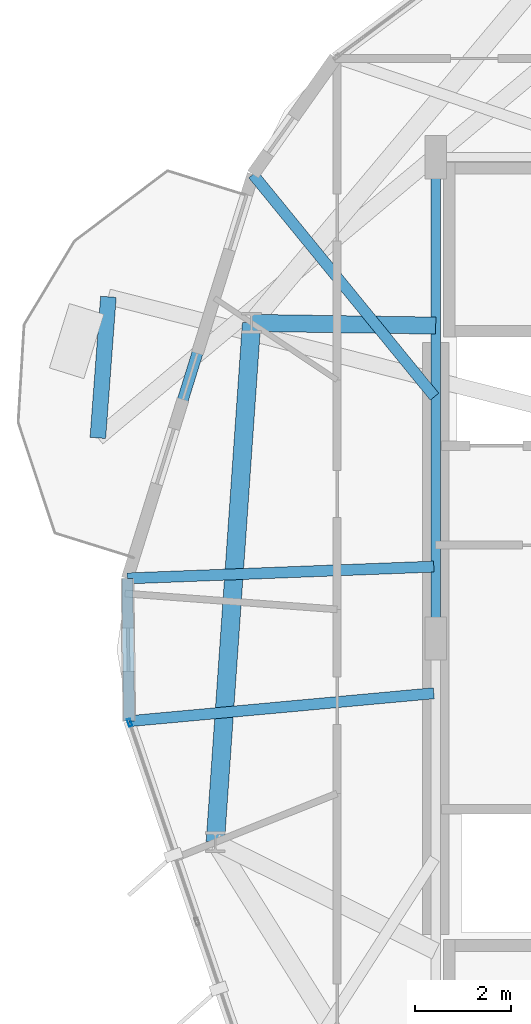
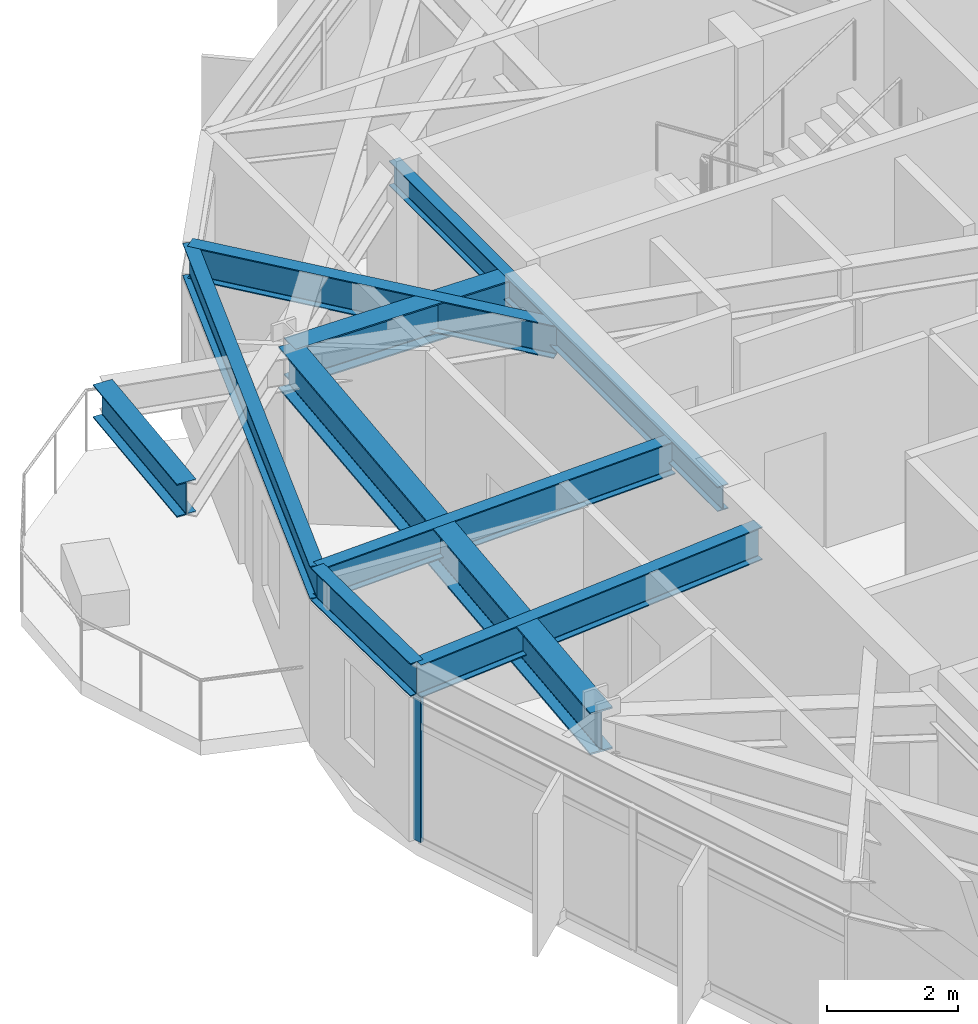
# One storey, part 7 of 27: 9 beams, 1 member, 1 element without a shape of its own.
"""IFC4 building model written with IfcOpenShell, lengths in metres."""

from ifc_helpers import new_model, si_unit, direction, frame, origin, origin_2d, place, context, subcontext, project, spatial, hollow_rectangle, i_section, extrude, material, layer, layer_set, material_profile, profile_set, type_object, element, aggregate, save


model = new_model("IFC4")

# Units and contexts
model_context = context("Model", 3, precision=1e-05, world=origin(), true_north=direction((0.0, 1.0)))
body_context = subcontext(model_context, "Body", "Model", "MODEL_VIEW")
ifc_project = project(units=[si_unit("LENGTHUNIT", "METRE"), si_unit("AREAUNIT", "SQUARE_METRE"), si_unit("VOLUMEUNIT", "CUBIC_METRE"), si_unit("PLANEANGLEUNIT", "RADIAN"), si_unit("MASSUNIT", "GRAM", prefix="KILO")], contexts=[model_context])

# Site, building, storey
site_placement = place(None, origin())
site = spatial("IfcSite", under=ifc_project, at=site_placement, CompositionType="ELEMENT")
building_placement = place(site_placement, origin())
building = spatial("IfcBuilding", under=site, at=building_placement, Name="Soratama Intermodal Tower", CompositionType="ELEMENT")
storey_placement = place(building_placement, frame((0.0, 0.0, 167.800048828125)))
storey = spatial("IfcBuildingStorey", under=building, at=storey_placement, Name="L41", CompositionType="ELEMENT", Elevation=167.800048828125)

# Beams
ifc_material_1 = material(Name="Structural steel ASTM A992 Grade 50", Category="steel")
ifc_material_profile_1 = material_profile(ifc_material_1, i_section(OverallWidth=0.324951171875, OverallDepth=0.615966796875, WebThickness=0.013916015625, FlangeThickness=0.021484375, FilletRadius=0.013916015625, at=origin_2d()), Name="W24X117")
ifc_profile_set_1 = profile_set([ifc_material_profile_1], Name="Structural steel ASTM A992 Grade 50")
beam_type_1 = type_object("IfcBeamType", Name="BM-CANT-W24X117", PredefinedType="BEAM", material=ifc_profile_set_1)
beam_1_placement = place(storey_placement, frame((25.799072265625, 32.097900390625, 2.991943359375), z_axis=(-0.074486481393, -0.997222023468, 0.0), x_axis=(0.997222023468, -0.074486481393, 0.0)))
element("IfcBeam", 1, at=beam_1_placement, inside=storey, type_object=beam_type_1, Name="BM-L41-CBHDR-2", PredefinedType="BEAM", context=body_context, shape_type="SweptSolid", body=[
    extrude(i_section(OverallWidth=0.324951171875, OverallDepth=0.615966796875, WebThickness=0.013916015625, FlangeThickness=0.021484375, FilletRadius=0.013916015625, at=origin_2d()), origin(), (0.0, 0.0, 1.0), 2.93994140625),
])
ifc_material_2 = material(Name="Structural steel ASTM A992 Grade 50", Category="steel")
ifc_material_profile_2 = material_profile(ifc_material_2, i_section(OverallWidth=0.19091796875, OverallDepth=0.4599609375, WebThickness=0.010009765625, FlangeThickness=0.01611328125, FilletRadius=0.010986328125, at=origin_2d()), Name="W18X55")
ifc_profile_set_2 = profile_set([ifc_material_profile_2], Name="Structural steel ASTM A992 Grade 50")
beam_type_2 = type_object("IfcBeamType", Name="BM-FLR-W18X55", PredefinedType="BEAM", material=ifc_profile_set_2)
beam_2_placement = place(storey_placement, frame((32.60009765625, 35.0, 3.070068359375), z_axis=(0.0, -1.0, 0.0), x_axis=(1.0, 0.0, 0.0)))
element("IfcBeam", 2, at=beam_2_placement, inside=storey, type_object=beam_type_2, Name="BM-L41-CRING-08", PredefinedType="BEAM", context=body_context, shape_type="SweptSolid", body=[
    extrude(i_section(OverallWidth=0.19091796875, OverallDepth=0.4599609375, WebThickness=0.010009765625, FlangeThickness=0.01611328125, FilletRadius=0.010986328125, at=origin_2d()), origin(), (0.0, 0.0, 1.0), 10.0),
])
ifc_material_3 = material(Name="Structural steel ASTM A992 Grade 50", Category="steel")
ifc_material_profile_3 = material_profile(ifc_material_3, i_section(OverallWidth=0.35498046875, OverallDepth=0.695068359375, WebThickness=0.015380859375, FlangeThickness=0.02490234375, FilletRadius=0.01611328125, at=origin_2d()), Name="W27X146")
ifc_profile_set_3 = profile_set([ifc_material_profile_3], Name="Structural steel ASTM A992 Grade 50")
beam_type_3 = type_object("IfcBeamType", Name="BM-RING-W27X146", PredefinedType="BEAM", material=ifc_profile_set_3)
beam_3_placement = place(storey_placement, frame((32.60009765625, 31.5, 2.952392578125), z_axis=(-0.999893261134, 0.014610487289, 0.0), x_axis=(-0.014610487289, -0.999893261134, 0.0)))
element("IfcBeam", 3, at=beam_3_placement, inside=storey, type_object=beam_type_3, Name="BM-L41-RAD-05", PredefinedType="BEAM", context=body_context, shape_type="SweptSolid", body=[
    extrude(i_section(OverallWidth=0.35498046875, OverallDepth=0.695068359375, WebThickness=0.015380859375, FlangeThickness=0.02490234375, FilletRadius=0.01611328125, at=origin_2d()), origin(), (0.0, 0.0, 1.0), 3.82666015625),
])
ifc_material_4 = material(Name="Structural steel ASTM A992 Grade 50", Category="steel")
ifc_material_profile_4 = material_profile(ifc_material_4, i_section(OverallWidth=0.382080078125, OverallDepth=0.779052734375, WebThickness=0.01806640625, FlangeThickness=0.030029296875, FilletRadius=0.01806640625, at=origin_2d()), Name="W30X191")
ifc_profile_set_4 = profile_set([ifc_material_profile_4], Name="Structural steel ASTM A992 Grade 50")
beam_type_4 = type_object("IfcBeamType", Name="BM-RING-W30X191", PredefinedType="BEAM", material=ifc_profile_set_4)
beam_4_placement = place(storey_placement, frame((28.77392578125, 31.555908203125, 2.910400390625), z_axis=(-0.069702217409, -0.99756784275, 0.0), x_axis=(0.99756784275, -0.069702217409, 0.0)))
element("IfcBeam", 4, at=beam_4_placement, inside=storey, type_object=beam_type_4, Name="BM-L41-RING-05", PredefinedType="BEAM", context=body_context, shape_type="SweptSolid", body=[
    extrude(i_section(OverallWidth=0.382080078125, OverallDepth=0.779052734375, WebThickness=0.01806640625, FlangeThickness=0.030029296875, FilletRadius=0.01806640625, at=origin_2d()), origin(), (0.0, 0.0, 1.0), 10.816162109375),
])
ifc_material_5 = material(Name="Structural steel ASTM A992 Grade 50", Category="steel")
ifc_material_profile_5 = material_profile(ifc_material_5, i_section(OverallWidth=0.22900390625, OverallDepth=0.612060546875, WebThickness=0.011962890625, FlangeThickness=0.01953125, FilletRadius=0.012939453125, at=origin_2d()), Name="W24X84")
ifc_profile_set_5 = profile_set([ifc_material_profile_5], Name="Structural steel ASTM A992 Grade 50")
beam_type_5 = type_object("IfcBeamType", Name="BM-SPN-W24X84", PredefinedType="SPANDREL", material=ifc_profile_set_5)
beam_5_placement = place(storey_placement, frame((28.803955078125, 34.64208984375, 2.993896484375), z_axis=(-0.297095246208, -0.954847848969, 0.0), x_axis=(0.954847848969, -0.297095246208, 0.0)))
element("IfcBeam", 5, at=beam_5_placement, inside=storey, type_object=beam_type_5, Name="BS-L41-F04", PredefinedType="SPANDREL", context=body_context, shape_type="SweptSolid", body=[
    extrude(i_section(OverallWidth=0.22900390625, OverallDepth=0.612060546875, WebThickness=0.011962890625, FlangeThickness=0.01953125, FilletRadius=0.012939453125, at=origin_2d()), origin(), (0.0, 0.0, 1.0), 8.7919921875),
])
beam_6_placement = place(storey_placement, frame((26.19189453125, 26.2470703125, 2.993896484375), z_axis=(0.012839504564, -0.999917570164, 0.0), x_axis=(0.999917570164, 0.012839504564, 0.0)))
element("IfcBeam", 6, at=beam_6_placement, inside=storey, type_object=beam_type_5, Name="BS-L41-CRN04", PredefinedType="SPANDREL", context=body_context, shape_type="SweptSolid", body=[
    extrude(i_section(OverallWidth=0.22900390625, OverallDepth=0.612060546875, WebThickness=0.011962890625, FlangeThickness=0.01953125, FilletRadius=0.012939453125, at=origin_2d()), origin(), (0.0, 0.0, 1.0), 2.96630859375),
])
ifc_material_6 = material(Name="Structural steel ASTM A992 Grade 50", Category="steel")
ifc_material_profile_6 = material_profile(ifc_material_6, i_section(OverallWidth=0.22900390625, OverallDepth=0.612060546875, WebThickness=0.011962890625, FlangeThickness=0.01953125, FilletRadius=0.012939453125, at=origin_2d()), Name="W24X84")
ifc_profile_set_6 = profile_set([ifc_material_profile_6], Name="Structural steel ASTM A992 Grade 50")
beam_type_6 = type_object("IfcBeamType", Name="BM-TIE-W24X84", PredefinedType="BEAM", material=ifc_profile_set_6)
beam_7_placement = place(storey_placement, frame((32.574951171875, 30.02392578125, 2.993896484375), z_axis=(-0.632483802365, 0.774573585753, 0.0), x_axis=(-0.774573585753, -0.632483802365, 0.0)))
element("IfcBeam", 7, at=beam_7_placement, inside=storey, type_object=beam_type_6, Name="BM-L41-TIE0-04", PredefinedType="BEAM", context=body_context, shape_type="SweptSolid", body=[
    extrude(i_section(OverallWidth=0.22900390625, OverallDepth=0.612060546875, WebThickness=0.011962890625, FlangeThickness=0.01953125, FilletRadius=0.012939453125, at=origin_2d()), origin(), (0.0, 0.0, 1.0), 5.962158203125),
])
beam_8_placement = place(storey_placement, frame((32.56005859375, 26.491943359375, 2.993896484375), z_axis=(-0.999261514114, -0.038424294535, 0.0), x_axis=(0.038424294535, -0.999261514114, 0.0)))
element("IfcBeam", 8, at=beam_8_placement, inside=storey, type_object=beam_type_6, Name="BM-L41-TIE1-04", PredefinedType="BEAM", context=body_context, shape_type="SweptSolid", body=[
    extrude(i_section(OverallWidth=0.22900390625, OverallDepth=0.612060546875, WebThickness=0.011962890625, FlangeThickness=0.01953125, FilletRadius=0.012939453125, at=origin_2d()), origin(), (0.0, 0.0, 1.0), 6.372802734375),
])
beam_9_placement = place(storey_placement, frame((32.56005859375, 23.861083984375, 2.993896484375), z_axis=(-0.995827464489, -0.091256018807, 0.0), x_axis=(0.091256018807, -0.995827464489, 0.0)))
element("IfcBeam", 9, at=beam_9_placement, inside=storey, type_object=beam_type_6, Name="BM-L41-TIE0-05", PredefinedType="BEAM", context=body_context, shape_type="SweptSolid", body=[
    extrude(i_section(OverallWidth=0.22900390625, OverallDepth=0.612060546875, WebThickness=0.011962890625, FlangeThickness=0.01953125, FilletRadius=0.012939453125, at=origin_2d()), origin(), (0.0, 0.0, 1.0), 6.356689453125),
])

# Curtain wall, member
ifc_material_7 = material(Name="Double-glazed aluminium curtain wall", Category="aluminium")
ifc_layer = layer(ifc_material_7, 0.159912109375)
ifc_layer_set = layer_set([ifc_layer], Name="Double-glazed aluminium curtain wall")
curtain_wall_type = type_object("IfcCurtainWallType", Name="CW-SYS-4", PredefinedType="NOTDEFINED", material=ifc_layer_set)
curtain_wall_placement = place(storey_placement, origin())
curtain_wall = element("IfcCurtainWall", 10, at=curtain_wall_placement, inside=storey, type_object=curtain_wall_type, Name="L41 Faceted Curtain Wall F05", PredefinedType="NOTDEFINED")
ifc_material_8 = material(Name="Anodised aluminium AA 6063-T6", Category="aluminium")
ifc_material_profile_7 = material_profile(ifc_material_8, hollow_rectangle(XDim=0.070068359375, YDim=0.159912109375, WallThickness=0.0048828125, InnerFilletRadius=0.0048828125, OuterFilletRadius=0.010009765625, at=origin_2d()), Name="CWM160X70X5")
ifc_profile_set_7 = profile_set([ifc_material_profile_7], Name="Anodised aluminium AA 6063-T6")
member_type = type_object("IfcMemberType", Name="MT-CWM-4", PredefinedType="MULLION", material=ifc_profile_set_7)
member_placement = place(storey_placement, frame((26.239501953125, 23.252197265625, 0.0), z_axis=(0.0, 0.0, 1.0), x_axis=(0.947099636849, 0.320939679503, 0.0)))
member = element("IfcMember", 11, at=member_placement, type_object=member_type, Name="CW-4 mullion 1", PredefinedType="MULLION", context=body_context, shape_type="SweptSolid", body=[
    extrude(hollow_rectangle(XDim=0.070068359375, YDim=0.159912109375, WallThickness=0.0048828125, InnerFilletRadius=0.0048828125, OuterFilletRadius=0.010009765625, at=origin_2d()), origin(), (0.0, 0.0, 1.0), 2.678955078125),
])
aggregate(curtain_wall, [member])

save(model, "model.ifc")
